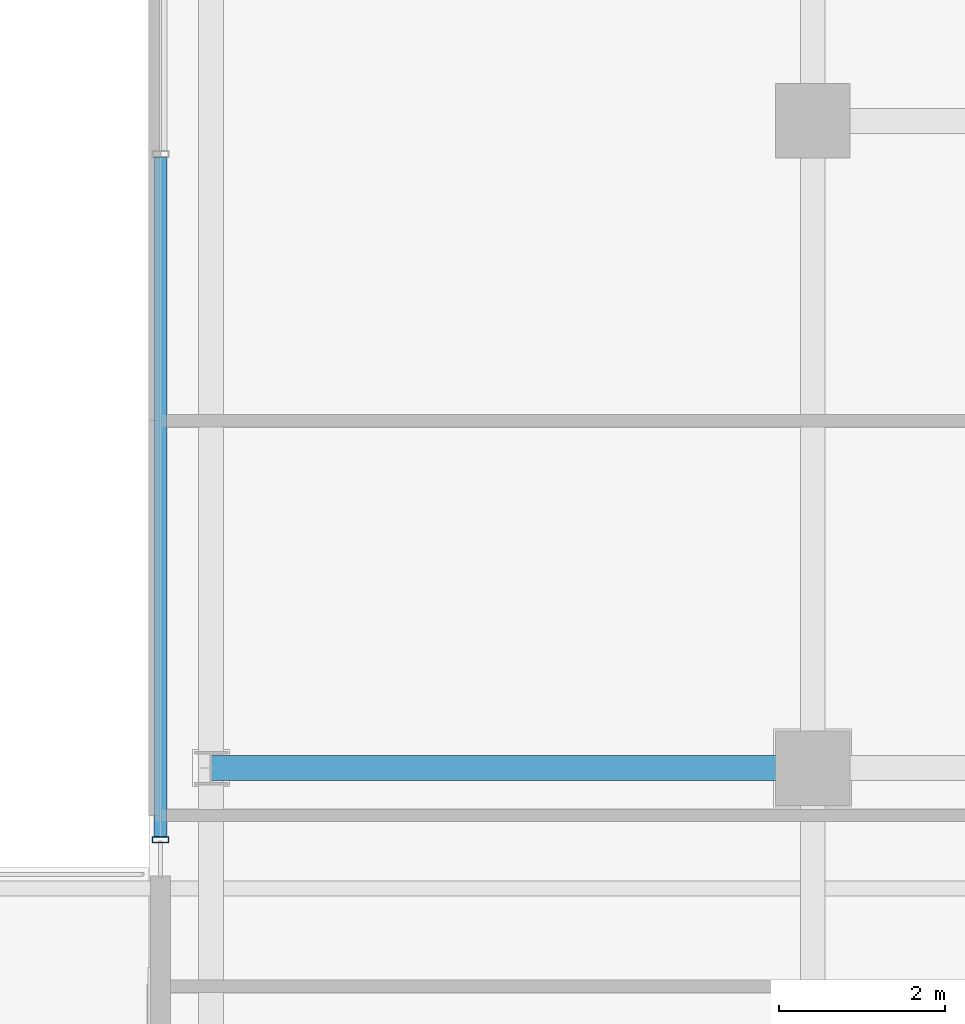
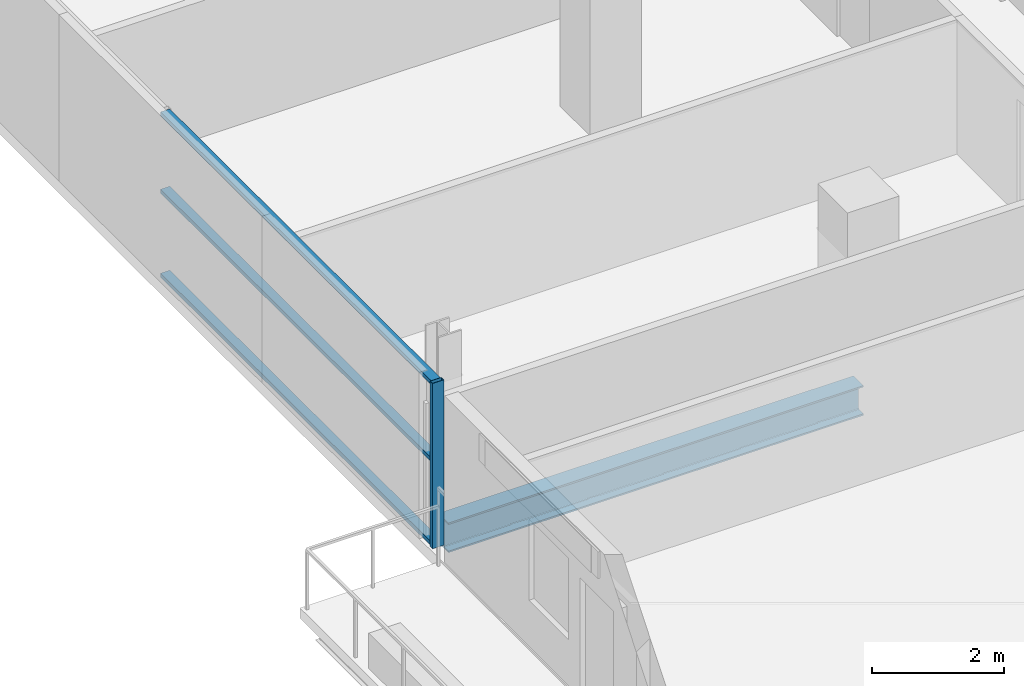
# One storey, part 6 of 28: 4 members, 1 beam, 1 element without a shape of its own.
"""IFC4 building model written with IfcOpenShell, lengths in metres."""

import ifcopenshell
import ifcopenshell.guid

model = None  # the IFC model being written
_history = None  # IfcOwnerHistory: only IFC2X3 demands one
_inside = {}  # id of a spatial element -> (the spatial element, [elements in it])
_under = {}  # id of a project, library or spatial element -> (it, [spatial elements below it])
_declared = {}  # id of a project -> (the project, [libraries it declares])
_typed = {}  # id of a type object -> (the type object, [elements of that type])
_made_of = {}  # id of a material, layer set ... -> (it, [elements and type objects made of it])


def new_model(schema):
    """Start an empty IFC model of exactly this schema.

    Asked for "IFC4X3", IfcOpenShell would pick the latest addendum, in which some entities
    have other attributes; the version numbers below select the first issue.
    IFC2X3 requires an IfcOwnerHistory on every rooted entity: one is made here for all.
    """
    global model, _history
    if schema == "IFC4X3":
        model = ifcopenshell.file(schema_version=(4, 3, 0, 0))
    else:
        model = ifcopenshell.file(schema=schema)
    _inside.clear()
    _under.clear()
    _declared.clear()
    _typed.clear()
    _made_of.clear()
    _history = None
    if model.schema == "IFC2X3":
        org = make("IfcOrganization", Name="unknown")
        user = make(
            "IfcPersonAndOrganization",
            ThePerson=make("IfcPerson", FamilyName="unknown"),
            TheOrganization=org,
        )
        app = make(
            "IfcApplication",
            ApplicationDeveloper=org,
            Version="unknown",
            ApplicationFullName="unknown",
            ApplicationIdentifier="unknown",
        )
        _history = make(
            "IfcOwnerHistory",
            OwningUser=user,
            OwningApplication=app,
            ChangeAction="ADDED",
            CreationDate=0,
        )
    return model


def make(cls, **values):
    """One entity of the class cls with the attributes given. An attribute that is None is left unset."""
    return model.create_entity(
        cls, **{name: value for name, value in values.items() if value is not None}
    )


def rooted(cls, **values):
    """An entity with a GlobalId (a new one), such as an element, a storey or a relation."""
    return make(cls, GlobalId=ifcopenshell.guid.new(), OwnerHistory=_history, **values)


def si_unit(unit_type, name, prefix=None):
    """IfcSIUnit, for example si_unit("LENGTHUNIT", "METRE", prefix="MILLI")."""
    return make("IfcSIUnit", UnitType=unit_type, Prefix=prefix, Name=name)


def assignment(units):
    """IfcUnitAssignment: the units of a project."""
    return None if units is None else make("IfcUnitAssignment", Units=units)


def point(xyz):
    """IfcCartesianPoint."""
    return None if xyz is None else make("IfcCartesianPoint", Coordinates=xyz)


def direction(xyz):
    """IfcDirection."""
    return None if xyz is None else make("IfcDirection", DirectionRatios=xyz)


def frame(location, z_axis=None, x_axis=None):
    """IfcAxis2Placement3D, a coordinate frame: its origin and axes. An axis left out is left unset."""
    return make(
        "IfcAxis2Placement3D",
        Location=point(location),
        Axis=direction(z_axis),
        RefDirection=direction(x_axis),
    )


def frame_2d(location, x_axis=None):
    """IfcAxis2Placement2D, a coordinate frame in the plane: its origin and x axis."""
    return make(
        "IfcAxis2Placement2D", Location=point(location), RefDirection=direction(x_axis)
    )


def origin():
    """The frame at (0, 0, 0) with its axes left unset."""
    return frame((0.0, 0.0, 0.0))


def origin_2d():
    """The frame at (0, 0) in the plane with its x axis left unset."""
    return frame_2d((0.0, 0.0))


def place(relative_to, where):
    """IfcLocalPlacement: puts the frame where relative to a parent placement (None: the world)."""
    return make(
        "IfcLocalPlacement", PlacementRelTo=relative_to, RelativePlacement=where
    )


def context(
    kind, dimensions, precision=None, world=None, true_north=None, identifier=None
):
    """IfcGeometricRepresentationContext, for example the 3D "Model" context."""
    return make(
        "IfcGeometricRepresentationContext",
        ContextIdentifier=identifier,
        ContextType=kind,
        CoordinateSpaceDimension=dimensions,
        Precision=precision,
        WorldCoordinateSystem=world,
        TrueNorth=true_north,
    )


def subcontext(parent, identifier, kind, view, scale=None):
    """IfcGeometricRepresentationSubContext, for example "Body" below "Model"."""
    return make(
        "IfcGeometricRepresentationSubContext",
        ContextIdentifier=identifier,
        ContextType=kind,
        ParentContext=parent,
        TargetScale=scale,
        TargetView=view,
    )


def project(units=None, contexts=None):
    """IfcProject with its units and contexts."""
    return rooted(
        "IfcProject",
        Name="project",
        RepresentationContexts=contexts,
        UnitsInContext=assignment(units),
    )


def spatial(cls, under=None, at=None, **own):
    """A site, building, storey or space (cls), placed at a placement, below another one or the project."""
    s = rooted(cls, ObjectPlacement=at, **own)
    if under is not None:
        _under.setdefault(under.id(), (under, []))[1].append(s)
    return s


def profile(cls, at=None, kind="AREA", **sizes):
    """A parametric profile (cls). Its sizes go by their IFC names, for example OverallWidth=200.0."""
    return make(cls, ProfileType=kind, Position=at, **sizes)


def hollow_rectangle(**sizes):
    """IfcRectangleHollowProfileDef."""
    return profile("IfcRectangleHollowProfileDef", **sizes)


def i_section(**sizes):
    """IfcIShapeProfileDef."""
    return profile("IfcIShapeProfileDef", **sizes)


def extrude(swept, where, along, depth):
    """IfcExtrudedAreaSolid: the profile swept, set in the frame where, extruded along a direction by depth."""
    return make(
        "IfcExtrudedAreaSolid",
        SweptArea=swept,
        Position=where,
        ExtrudedDirection=direction(along),
        Depth=depth,
    )


def shape(context_of_items, identifier, shape_type, items):
    """IfcShapeRepresentation: the items that make up one representation, for example the "Body"."""
    return make(
        "IfcShapeRepresentation",
        ContextOfItems=context_of_items,
        RepresentationIdentifier=identifier,
        RepresentationType=shape_type,
        Items=items,
    )


def source(mapping_origin, context_of_items, identifier, shape_type, items):
    """IfcRepresentationMap: a shape defined once, which mapped items show again and again."""
    return make(
        "IfcRepresentationMap",
        MappingOrigin=mapping_origin,
        MappedRepresentation=shape(context_of_items, identifier, shape_type, items),
    )


def transform(
    local_origin,
    x_axis=None,
    y_axis=None,
    z_axis=None,
    scale=None,
    scale2=None,
    scale3=None,
    uniform=True,
):
    """IfcCartesianTransformationOperator3D, or its non-uniform kind. x_axis, y_axis, z_axis: its Axis1, 2, 3."""
    if uniform:
        return make(
            "IfcCartesianTransformationOperator3D",
            Axis1=direction(x_axis),
            Axis2=direction(y_axis),
            LocalOrigin=point(local_origin),
            Scale=scale,
            Axis3=direction(z_axis),
        )
    return make(
        "IfcCartesianTransformationOperator3DnonUniform",
        Axis1=direction(x_axis),
        Axis2=direction(y_axis),
        LocalOrigin=point(local_origin),
        Scale=scale,
        Axis3=direction(z_axis),
        Scale2=scale2,
        Scale3=scale3,
    )


def mapped(mapping_source, mapping_target):
    """IfcMappedItem: shows the shape of a source again, moved by a transform."""
    return make(
        "IfcMappedItem", MappingSource=mapping_source, MappingTarget=mapping_target
    )


def material(Name=None, Category=None):
    """IfcMaterial."""
    return make("IfcMaterial", Name=Name, Category=Category)


def layer(
    of_material, thickness, ventilated=None, Name=None, Category=None, Priority=None
):
    """IfcMaterialLayer: one layer of a wall or slab, of a material (None: an air gap)."""
    return make(
        "IfcMaterialLayer",
        Material=of_material,
        LayerThickness=thickness,
        IsVentilated=ventilated,
        Name=Name,
        Category=Category,
        Priority=Priority,
    )


def layer_set(layers, Name=None):
    """IfcMaterialLayerSet."""
    return make("IfcMaterialLayerSet", MaterialLayers=layers, LayerSetName=Name)


def material_profile(
    of_material, cross_section, Name=None, Category=None, Priority=None
):
    """IfcMaterialProfile: a cross section and its material."""
    return make(
        "IfcMaterialProfile",
        Name=Name,
        Material=of_material,
        Profile=cross_section,
        Priority=Priority,
        Category=Category,
    )


def profile_set(profiles, Name=None, composite=None):
    """IfcMaterialProfileSet."""
    return make(
        "IfcMaterialProfileSet",
        Name=Name,
        MaterialProfiles=profiles,
        CompositeProfile=composite,
    )


def made_of(thing, what):
    """Note that an element or type object is made of a material, layer set ...; save() writes the relation."""
    if what is not None:
        _made_of.setdefault(what.id(), (what, []))[1].append(thing)
    return thing


def type_object(cls, material=None, **own):
    """A type object (cls), such as IfcWallType, which elements share."""
    return made_of(rooted(cls, **own), material)


def element(
    cls,
    number,
    at=None,
    inside=None,
    cuts=None,
    type_object=None,
    material=None,
    context=None,
    identifier="Body",
    shape_type=None,
    held_by="IfcProductDefinitionShape",
    body=None,
    shapes=None,
    **own,
):
    """One element of the class cls, such as IfcWall. Its Tag is "e" and its number.

    at: its placement. inside: the storey or other place that contains it. cuts: it is an
    opening in that element (IfcRelVoidsElement). A single representation is given by context,
    identifier, shape_type and body (its items); several are given by shapes. held_by: the class
    of the entity that holds the representations. save() writes the other relations.
    """
    e = rooted(cls, Tag="e%d" % number, ObjectPlacement=at, **own)
    if body is not None:
        shapes = [shape(context, identifier, shape_type, body)]
    if shapes is not None:
        e.Representation = make(held_by, Representations=shapes)
    if inside is not None:
        _inside.setdefault(inside.id(), (inside, []))[1].append(e)
    if cuts is not None:
        rooted(
            "IfcRelVoidsElement", RelatingBuildingElement=cuts, RelatedOpeningElement=e
        )
    if type_object is not None:
        _typed.setdefault(type_object.id(), (type_object, []))[1].append(e)
    return made_of(e, material)


def aggregate(whole, parts):
    """IfcRelAggregates: a whole, such as a stair, and the parts it consists of."""
    return rooted("IfcRelAggregates", RelatingObject=whole, RelatedObjects=parts)


def save(model, path):
    """Write the relations noted so far, then the file.

    IfcRelAggregates (storeys below a building ...), IfcRelContainedInSpatialStructure (elements
    in a storey), IfcRelDefinesByType, IfcRelAssociatesMaterial and IfcRelDeclares: one each for
    every whole, place, type object, material and project.
    """
    for whole, parts in _under.values():
        aggregate(whole, parts)
    for where, things in _inside.values():
        rooted(
            "IfcRelContainedInSpatialStructure",
            RelatedElements=things,
            RelatingStructure=where,
        )
    for kind, things in _typed.values():
        rooted("IfcRelDefinesByType", RelatedObjects=things, RelatingType=kind)
    for what, things in _made_of.values():
        rooted("IfcRelAssociatesMaterial", RelatedObjects=things, RelatingMaterial=what)
    for by, libraries in _declared.values():
        rooted("IfcRelDeclares", RelatingContext=by, RelatedDefinitions=libraries)
    model.write(path)


model = new_model("IFC4")

# Units and contexts
model_context = context("Model", 3, precision=1e-05, world=origin(), true_north=direction((0.0, 1.0)))
body_context = subcontext(model_context, "Body", "Model", "MODEL_VIEW")
ifc_project = project(units=[si_unit("LENGTHUNIT", "METRE"), si_unit("AREAUNIT", "SQUARE_METRE"), si_unit("VOLUMEUNIT", "CUBIC_METRE"), si_unit("PLANEANGLEUNIT", "RADIAN"), si_unit("MASSUNIT", "GRAM", prefix="KILO")], contexts=[model_context])

# Site, building, storey
site_placement = place(None, origin())
site = spatial("IfcSite", under=ifc_project, at=site_placement, CompositionType="ELEMENT")
building_placement = place(site_placement, origin())
building = spatial("IfcBuilding", under=site, at=building_placement, Name="Zarnakvel Exchange Tower", CompositionType="ELEMENT")
storey_placement = place(building_placement, frame((0.0, 0.0, 103.300048828125)))
storey = spatial("IfcBuildingStorey", under=building, at=storey_placement, Name="L28", CompositionType="ELEMENT", Elevation=103.300048828125)

# Beam
ifc_material_1 = material(Name="Steel S355", Category="steel")
ifc_material_profile_1 = material_profile(ifc_material_1, i_section(OverallWidth=0.300048828125, OverallDepth=0.550048828125, WebThickness=0.014892578125, FlangeThickness=0.029052734375, FilletRadius=0.027099609375, at=origin_2d()))
ifc_profile_set_1 = profile_set([ifc_material_profile_1], Name="Steel S355")
beam_type = type_object("IfcBeamType", Name="G-05", PredefinedType="BEAM", material=ifc_profile_set_1)
beam_placement = place(storey_placement, frame((-28.85009765625, -1.199951171875, -0.5), z_axis=(1.0, 0.0, 0.0), x_axis=(0.0, 1.0, 0.0)))
element("IfcBeam", 1, at=beam_placement, inside=storey, type_object=beam_type, Name="L28 Tower E-W Frame Beam", PredefinedType="BEAM", context=body_context, shape_type="SweptSolid", body=[
    extrude(i_section(OverallWidth=0.300048828125, OverallDepth=0.550048828125, WebThickness=0.014892578125, FlangeThickness=0.029052734375, FilletRadius=0.027099609375, at=origin_2d()), origin(), (0.0, 0.0, 1.0), 7.25),
])

# Curtain wall, members
ifc_material_2 = material(Name="Architectural Bronze Anodised Aluminium", Category="aluminium")
ifc_layer = layer(ifc_material_2, 0.199951171875)
ifc_layer_set = layer_set([ifc_layer], Name="Architectural Bronze Anodised Aluminium")
curtain_wall_type = type_object("IfcCurtainWallType", Name="CW-04", PredefinedType="NOTDEFINED", material=ifc_layer_set)
curtain_wall_placement = place(storey_placement, origin())
curtain_wall = element("IfcCurtainWall", 2, at=curtain_wall_placement, inside=storey, type_object=curtain_wall_type, Name="L28 Curtain Wall CW-L28-WN (CW-04)", PredefinedType="NOTDEFINED")
ifc_material_profile_2 = material_profile(ifc_material_2, hollow_rectangle(XDim=0.199951171875, YDim=0.074951171875, WallThickness=0.0048828125, at=origin_2d()))
ifc_profile_set_2 = profile_set([ifc_material_profile_2], Name="Architectural Bronze Anodised Aluminium")
member_type_1 = type_object("IfcMemberType", Name="CWM-04", PredefinedType="MULLION", material=ifc_profile_set_2)
shared_shape_1 = source(origin(), body_context, "Body", "SweptSolid", [
    extrude(hollow_rectangle(XDim=0.199951171875, YDim=0.074951171875, WallThickness=0.0048828125, at=origin_2d()), origin(), (0.0, 0.0, 1.0), 3.054931640625),
])
member_1_placement = place(storey_placement, frame((-29.4599609375, -2.0625, 0.0), z_axis=(0.0, 0.0, 1.0), x_axis=(-1.0, 0.0, 0.0)))
member_1 = element("IfcMember", 3, at=member_1_placement, type_object=member_type_1, Name="CW-04 mullion 1", PredefinedType="MULLION", context=body_context, shape_type="MappedRepresentation", body=[
    mapped(shared_shape_1, transform((0.0, 0.0, 0.0), x_axis=(1.0, 0.0, 0.0), y_axis=(0.0, 1.0, 0.0), z_axis=(0.0, 0.0, 1.0), scale=1.0)),
])
ifc_material_profile_3 = material_profile(ifc_material_2, hollow_rectangle(XDim=0.159912109375, YDim=0.074951171875, WallThickness=0.00390625, at=origin_2d()))
ifc_profile_set_3 = profile_set([ifc_material_profile_3], Name="Architectural Bronze Anodised Aluminium")
member_type_2 = type_object("IfcMemberType", Name="CWT-04", PredefinedType="USERDEFINED", material=ifc_profile_set_3)
shared_shape_2 = source(origin(), body_context, "Body", "SweptSolid", [
    extrude(hollow_rectangle(XDim=0.159912109375, YDim=0.074951171875, WallThickness=0.00390625, at=origin_2d()), origin(), (0.0, 0.0, 1.0), 8.1875),
])
member_2_placement = place(storey_placement, frame((-29.4599609375, -2.02490234375, 0.037353515625), z_axis=(0.0, 1.0, 0.0), x_axis=(-1.0, 0.0, 0.0)))
member_2 = element("IfcMember", 4, at=member_2_placement, type_object=member_type_2, Name="CW-04 transom 1.1", ObjectType="TRANSOM", PredefinedType="USERDEFINED", context=body_context, shape_type="MappedRepresentation", body=[
    mapped(shared_shape_2, transform((0.0, 0.0, 0.0), x_axis=(1.0, 0.0, 0.0), y_axis=(0.0, 1.0, 0.0), z_axis=(0.0, 0.0, 1.0), scale=1.0)),
])
member_3_placement = place(storey_placement, frame((-29.4599609375, -2.02490234375, 1.588623046875), z_axis=(0.0, 1.0, 0.0), x_axis=(-1.0, 0.0, 0.0)))
member_3 = element("IfcMember", 5, at=member_3_placement, type_object=member_type_2, Name="CW-04 transom 1.2", ObjectType="TRANSOM", PredefinedType="USERDEFINED", context=body_context, shape_type="MappedRepresentation", body=[
    mapped(shared_shape_2, transform((0.0, 0.0, 0.0), x_axis=(1.0, 0.0, 0.0), y_axis=(0.0, 1.0, 0.0), z_axis=(0.0, 0.0, 1.0), scale=1.0)),
])
member_4_placement = place(storey_placement, frame((-29.4599609375, -2.02490234375, 3.017333984375), z_axis=(0.0, 1.0, 0.0), x_axis=(-1.0, 0.0, 0.0)))
member_4 = element("IfcMember", 6, at=member_4_placement, type_object=member_type_2, Name="CW-04 transom 1.3", ObjectType="TRANSOM", PredefinedType="USERDEFINED", context=body_context, shape_type="MappedRepresentation", body=[
    mapped(shared_shape_2, transform((0.0, 0.0, 0.0), x_axis=(1.0, 0.0, 0.0), y_axis=(0.0, 1.0, 0.0), z_axis=(0.0, 0.0, 1.0), scale=1.0)),
])
aggregate(curtain_wall, [member_1, member_2, member_3, member_4])

save(model, "model.ifc")
